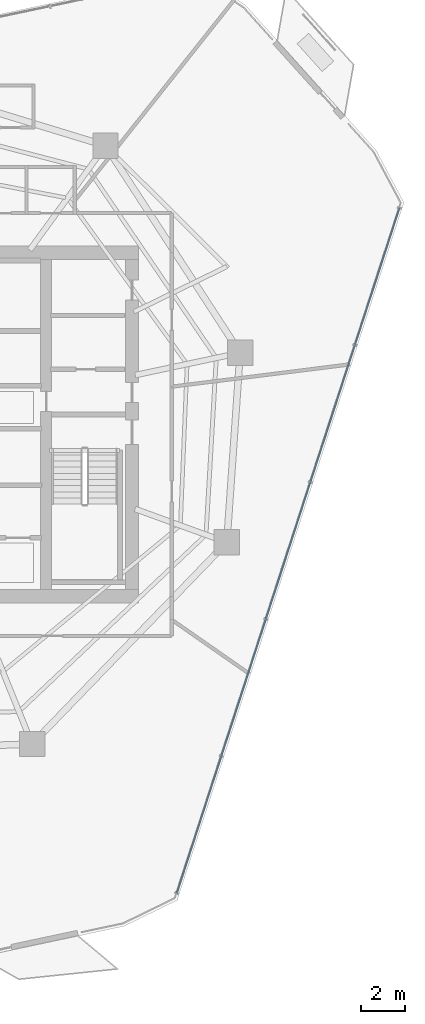
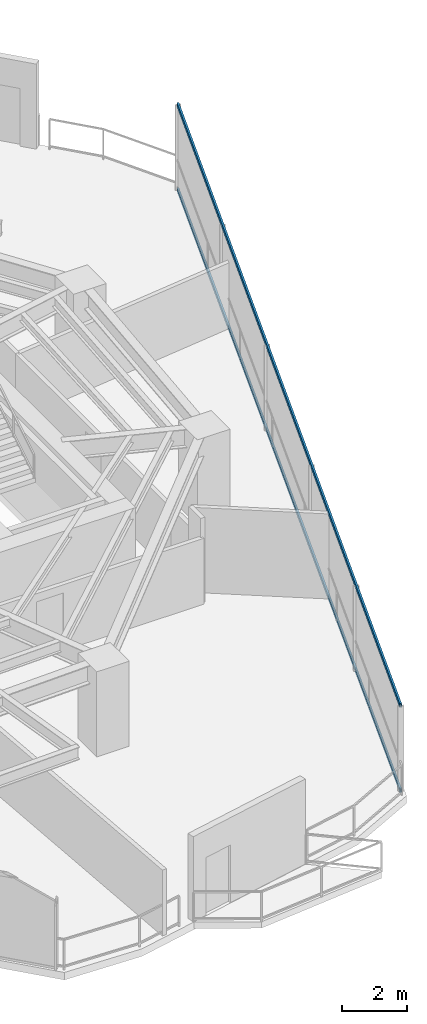
# One storey, part 12 of 27: 2 members, 1 element without a shape of its own.
"""IFC4 building model written with IfcOpenShell, lengths in metres."""

from ifc_helpers import new_model, si_unit, direction, frame, origin, origin_2d, place, context, subcontext, project, spatial, hollow_rectangle, extrude, material, layer, layer_set, material_profile, profile_set, type_object, element, aggregate, save


model = new_model("IFC4")

# Units and contexts
model_context = context("Model", 3, precision=1e-05, world=origin(), true_north=direction((0.0, 1.0)))
body_context = subcontext(model_context, "Body", "Model", "MODEL_VIEW")
ifc_project = project(units=[si_unit("LENGTHUNIT", "METRE"), si_unit("AREAUNIT", "SQUARE_METRE"), si_unit("VOLUMEUNIT", "CUBIC_METRE"), si_unit("PLANEANGLEUNIT", "RADIAN"), si_unit("MASSUNIT", "GRAM", prefix="KILO")], contexts=[model_context])

# Site, building, storey
site_placement = place(None, origin())
site = spatial("IfcSite", under=ifc_project, at=site_placement, CompositionType="ELEMENT")
building_placement = place(site_placement, origin())
building = spatial("IfcBuilding", under=site, at=building_placement, Name="Qarnah Convention Tower", CompositionType="ELEMENT")
storey_placement = place(building_placement, frame((0.0, 0.0, 110.85009765625)))
storey = spatial("IfcBuildingStorey", under=building, at=storey_placement, Name="L29", CompositionType="ELEMENT", Elevation=110.85009765625)

# Curtain wall, members
ifc_material_1 = material(Name="Tempered Low-E dark glass", Category="glass")
ifc_layer = layer(ifc_material_1, 0.169921875)
ifc_layer_set = layer_set([ifc_layer], Name="Tempered Low-E dark glass")
curtain_wall_type = type_object("IfcCurtainWallType", Name="CWS-02", PredefinedType="NOTDEFINED", material=ifc_layer_set)
curtain_wall_placement = place(storey_placement, origin())
curtain_wall = element("IfcCurtainWall", 1, at=curtain_wall_placement, inside=storey, type_object=curtain_wall_type, Name="L29 unitised curtain wall CW-L29-F2", PredefinedType="NOTDEFINED")
ifc_material_2 = material(Name="Black anodised aluminium", Category="aluminium")
ifc_material_profile = material_profile(ifc_material_2, hollow_rectangle(XDim=0.06494140625, YDim=0.14990234375, WallThickness=0.00390625, at=origin_2d()), Name="TRN-65X150")
ifc_profile_set = profile_set([ifc_material_profile], Name="Black anodised aluminium")
member_type = type_object("IfcMemberType", Name="TRN-T2", PredefinedType="USERDEFINED", material=ifc_profile_set)
member_1_placement = place(storey_placement, frame((59.742919921875, 36.23193359375, 0.0), z_axis=(-0.309007948536, -0.951059455419, 0.0), x_axis=(0.951059455419, -0.309007948536, 0.0)))
member_1 = element("IfcMember", 2, at=member_1_placement, type_object=member_type, Name="CW-L29-F2 transom 1", ObjectType="TRANSOM", PredefinedType="USERDEFINED", context=body_context, shape_type="SweptSolid", body=[
    extrude(hollow_rectangle(XDim=0.06494140625, YDim=0.14990234375, WallThickness=0.00390625, at=origin_2d()), origin(), (0.0, 0.0, 1.0), 32.717041015625),
])
member_2_placement = place(storey_placement, frame((59.742919921875, 36.23193359375, 3.169921875), z_axis=(-0.309007948536, -0.951059455419, 0.0), x_axis=(0.951059455419, -0.309007948536, 0.0)))
member_2 = element("IfcMember", 3, at=member_2_placement, type_object=member_type, Name="CW-L29-F2 transom 2", ObjectType="TRANSOM", PredefinedType="USERDEFINED", context=body_context, shape_type="SweptSolid", body=[
    extrude(hollow_rectangle(XDim=0.06494140625, YDim=0.14990234375, WallThickness=0.00390625, at=origin_2d()), origin(), (0.0, 0.0, 1.0), 32.717041015625),
])
aggregate(curtain_wall, [member_1, member_2])

save(model, "model.ifc")
